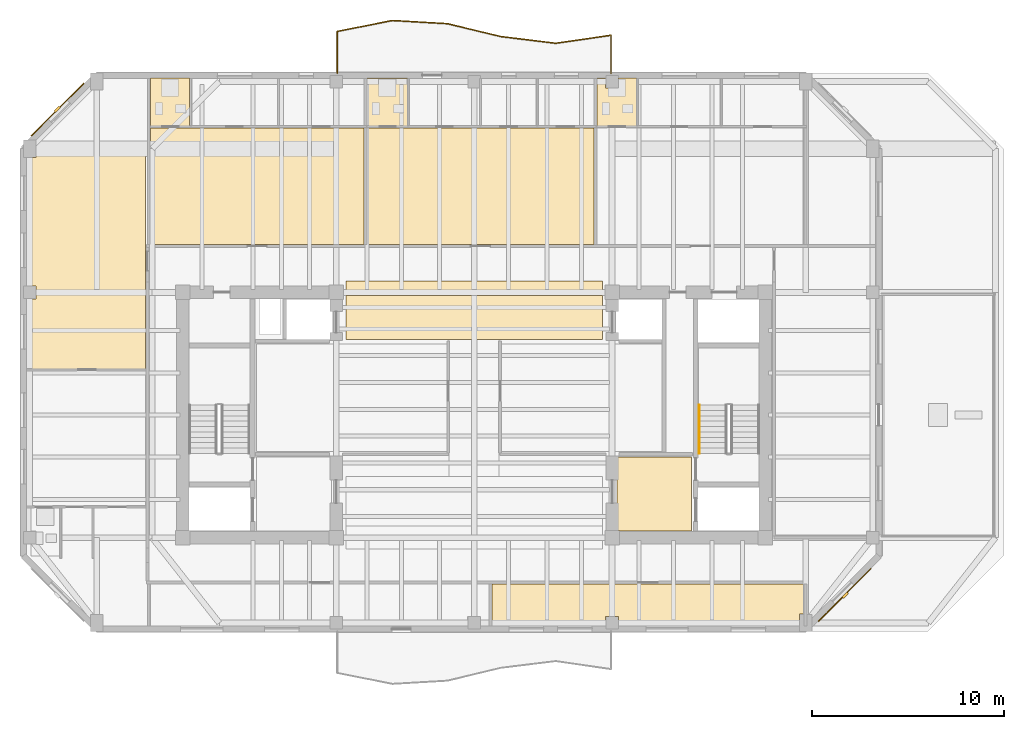
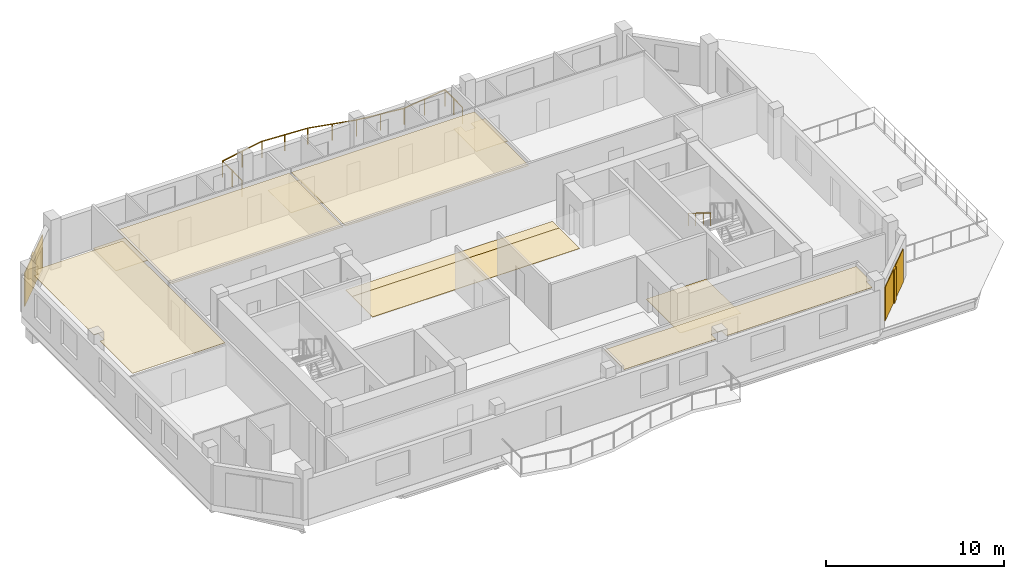
# One storey, part 8 of 10: 12 coverings, 2 railings, 2 shading devices.
"""IFC4 building model written with IfcOpenShell, lengths in metres."""

from ifc_helpers import new_model, si_unit, direction, frame, origin, origin_2d, place, context, subcontext, project, spatial, polyline, rectangle, circle, outline, extrude, material, layer, layer_set, type_object, element, save


model = new_model("IFC4")

# Units and contexts
model_context = context("Model", 3, precision=1e-05, world=origin(), true_north=direction((0.0, 1.0)))
body_context = subcontext(model_context, "Body", "Model", "MODEL_VIEW")
ifc_project = project(units=[si_unit("LENGTHUNIT", "METRE"), si_unit("AREAUNIT", "SQUARE_METRE"), si_unit("VOLUMEUNIT", "CUBIC_METRE"), si_unit("PLANEANGLEUNIT", "RADIAN"), si_unit("MASSUNIT", "GRAM", prefix="KILO")], contexts=[model_context])

# Site, building, storey
site_placement = place(None, origin())
site = spatial("IfcSite", under=ifc_project, at=site_placement, CompositionType="ELEMENT")
building_placement = place(site_placement, origin())
building = spatial("IfcBuilding", under=site, at=building_placement, Name="Kranthara Brick Stack", CompositionType="ELEMENT")
storey_placement = place(building_placement, frame((0.0, 0.0, 268.699951171875)))
storey = spatial("IfcBuildingStorey", under=building, at=storey_placement, Name="L71", CompositionType="ELEMENT", Elevation=268.699951171875)

# Coverings
ifc_material_1 = material(Name="Perforated mineral-fibre acoustic ceiling tile", Category="other")
ifc_layer_1 = layer(ifc_material_1, 0.02490234375)
ifc_layer_set_1 = layer_set([ifc_layer_1], Name="Perforated mineral-fibre acoustic ceiling tile")
covering_type_1 = type_object("IfcCoveringType", Name="COV-CEIL-ACOUSTIC", PredefinedType="CEILING", material=ifc_layer_set_1)
covering_1_placement = place(storey_placement, frame((0.0, 0.0, 2.830078125)))
element("IfcCovering", 1, at=covering_1_placement, inside=storey, type_object=covering_type_1, Name="L71 L71 Sky Club Observation Lounge 2 Acoustic Ceiling", PredefinedType="CEILING", context=body_context, shape_type="SweptSolid", body=[
    extrude(outline(polyline([(28.926025390625, 18.3798828125), (45.219970703125, 18.3798828125), (45.219970703125, 16.81005859375), (44.965087890625, 16.81005859375), (44.965087890625, 16.14990234375), (35.534912109375, 16.14990234375), (35.534912109375, 16.68505859375), (34.864990234375, 16.68505859375), (34.864990234375, 16.14990234375), (28.926025390625, 16.14990234375), (28.926025390625, 18.3798828125)])), origin(), (0.0, 0.0, 1.0), 0.02490234375),
])
covering_2_placement = place(storey_placement, frame((0.0, 0.0, 2.830078125)))
element("IfcCovering", 2, at=covering_2_placement, inside=storey, type_object=covering_type_1, Name="L71 Unit L71A 1-Bed Apartment Living Dining Acoustic Ceiling", PredefinedType="CEILING", context=body_context, shape_type="SweptSolid", body=[
    extrude(outline(polyline([(22.251953125, 36.10009765625), (22.251953125, 42.169921875), (11.10009765625, 42.169921875), (11.10009765625, 36.10009765625), (22.251953125, 36.10009765625)])), origin(), (0.0, 0.0, 1.0), 0.02490234375),
])
covering_3_placement = place(storey_placement, frame((0.0, 0.0, 2.830078125)))
element("IfcCovering", 3, at=covering_3_placement, inside=storey, type_object=covering_type_1, Name="L71 Unit L71B 2-Bed Apartment Living Dining Acoustic Ceiling", PredefinedType="CEILING", context=body_context, shape_type="SweptSolid", body=[
    extrude(outline(polyline([(34.25, 36.10009765625), (34.25, 42.169921875), (22.412109375, 42.169921875), (22.412109375, 36.10009765625), (34.25, 36.10009765625)])), origin(), (0.0, 0.0, 1.0), 0.02490234375),
])
covering_4_placement = place(storey_placement, frame((0.0, 0.0, 2.830078125)))
element("IfcCovering", 4, at=covering_4_placement, inside=storey, type_object=covering_type_1, Name="L71 Unit L71D 1-Bed Apartment Living Dining Acoustic Ceiling", PredefinedType="CEILING", context=body_context, shape_type="SweptSolid", body=[
    extrude(outline(polyline([(10.860107421875, 41.10009765625), (10.860107421875, 29.60595703125), (4.8701171875, 29.60595703125), (4.8701171875, 33.264892578125), (5.135009765625, 33.264892578125), (5.135009765625, 33.93505859375), (4.8701171875, 33.93505859375), (4.8701171875, 40.639892578125), (5.135009765625, 40.639892578125), (5.135009765625, 41.10009765625), (10.860107421875, 41.10009765625)])), origin(), (0.0, 0.0, 1.0), 0.02490234375),
])
ifc_material_2 = material(Name="Warm buff kiln-fired brick slip rainscreen", Category="masonry")
ifc_layer_2 = layer(ifc_material_2, 0.044921875)
ifc_layer_set_2 = layer_set([ifc_layer_2], Name="Warm buff kiln-fired brick slip rainscreen")
covering_type_2 = type_object("IfcCoveringType", Name="COV-CLAD-BRICK", PredefinedType="CLADDING", material=ifc_layer_set_2)
for number, where, z_axis, x_axis, name in (
    (5, (6.2626953125, 43.13720703125, 0.0498046875), (0.0, 0.0, 1.0), (0.707106781187, 0.707106781187, 0.0), "L71 Chamfer Brick Rainscreen Cladding NW"),
    (6, (47.33740234375, 17.812744140625, 0.0498046875), (0.0, 0.0, 1.0), (-0.707106781187, -0.707106781187, 0.0), "L71 Chamfer Brick Rainscreen Cladding SE"),
):
    element("IfcCovering", number, at=place(storey_placement, frame(where, z_axis=z_axis, x_axis=x_axis)), inside=storey, type_object=covering_type_2, Name=name, PredefinedType="CLADDING", context=body_context, shape_type="SweptSolid", body=[
        extrude(rectangle(XDim=3.889892578125, YDim=0.044921875, at=origin_2d()), origin(), (0.0, 0.0, 1.0), 2.300048828125),
    ])
ifc_material_3 = material(Name="Honed terrazzo and porcelain floor finish", Category="stone")
ifc_layer_3 = layer(ifc_material_3, 0.030029296875)
ifc_layer_set_3 = layer_set([ifc_layer_3], Name="Honed terrazzo and porcelain floor finish")
covering_type_3 = type_object("IfcCoveringType", Name="COV-FLOR-STONE", PredefinedType="FLOORING", material=ifc_layer_set_3)
covering_5_placement = place(storey_placement, origin())
element("IfcCovering", 7, at=covering_5_placement, inside=storey, type_object=covering_type_3, Name="L71 Lift Lobby Stone Flooring", PredefinedType="FLOORING", context=body_context, shape_type="SweptSolid", body=[
    extrude(outline(polyline([(35.449951171875, 25.0), (39.35009765625, 25.0), (39.35009765625, 21.14990234375), (35.5849609375, 21.14990234375), (35.5849609375, 21.18505859375), (35.449951171875, 21.18505859375), (35.449951171875, 25.0)])), origin(), (0.0, 0.0, 1.0), 0.030029296875),
])
covering_6_placement = place(storey_placement, origin())
element("IfcCovering", 8, at=covering_6_placement, inside=storey, type_object=covering_type_3, Name="L71 Lift Lobby Stone Flooring", PredefinedType="FLOORING", context=body_context, shape_type="SweptSolid", body=[
    extrude(outline(polyline([(34.699951171875, 31.14990234375), (34.699951171875, 33.449951171875), (21.300048828125, 33.449951171875), (21.300048828125, 31.14990234375), (34.699951171875, 31.14990234375)])), origin(), (0.0, 0.0, 1.0), 0.030029296875),
])
covering_7_placement = place(storey_placement, origin())
element("IfcCovering", 9, at=covering_7_placement, inside=storey, type_object=covering_type_3, Name="L71 Lift Lobby Stone Flooring", PredefinedType="FLOORING", context=body_context, shape_type="SweptSolid", body=[
    extrude(outline(polyline([(34.699951171875, 33.449951171875), (21.300048828125, 33.449951171875), (21.300048828125, 34.199951171875), (34.699951171875, 34.199951171875), (34.699951171875, 33.449951171875)])), origin(), (0.0, 0.0, 1.0), 0.030029296875),
])
covering_8_placement = place(storey_placement, origin())
element("IfcCovering", 10, at=covering_8_placement, inside=storey, type_object=covering_type_3, Name="L71 Wet Room Porcelain Flooring", PredefinedType="FLOORING", context=body_context, shape_type="SweptSolid", body=[
    extrude(outline(polyline([(13.14990234375, 42.25), (13.14990234375, 44.800048828125), (11.10009765625, 44.800048828125), (11.10009765625, 42.25), (13.14990234375, 42.25)])), origin(), (0.0, 0.0, 1.0), 0.030029296875),
])
covering_9_placement = place(storey_placement, origin())
element("IfcCovering", 11, at=covering_9_placement, inside=storey, type_object=covering_type_3, Name="L71 Wet Room Porcelain Flooring", PredefinedType="FLOORING", context=body_context, shape_type="SweptSolid", body=[
    extrude(outline(polyline([(24.511962890625, 42.25), (24.511962890625, 44.800048828125), (22.412109375, 44.800048828125), (22.412109375, 42.25), (24.511962890625, 42.25)])), origin(), (0.0, 0.0, 1.0), 0.030029296875),
])
covering_10_placement = place(storey_placement, origin())
element("IfcCovering", 12, at=covering_10_placement, inside=storey, type_object=covering_type_3, Name="L71 Wet Room Porcelain Flooring", PredefinedType="FLOORING", context=body_context, shape_type="SweptSolid", body=[
    extrude(outline(polyline([(36.4599609375, 44.800048828125), (36.4599609375, 42.25), (34.409912109375, 42.25), (34.409912109375, 44.800048828125), (34.864990234375, 44.800048828125), (34.864990234375, 44.264892578125), (35.534912109375, 44.264892578125), (35.534912109375, 44.800048828125), (36.4599609375, 44.800048828125)])), origin(), (0.0, 0.0, 1.0), 0.030029296875),
])

# Railings
ifc_material_4 = material(Name="Bronze anodised aluminium and laminated glass balustrade", Category="aluminium")
railing_type_1 = type_object("IfcRailingType", Name="RL-BALC-1120", PredefinedType="BALUSTRADE", material=ifc_material_4)
railing_1_placement = place(storey_placement, frame((20.860107421875, 45.0400390625, 0.0)))
element("IfcRailing", 13, at=railing_1_placement, inside=storey, type_object=railing_type_1, Name="L71 North Rippling Balcony Balustrade", PredefinedType="BALUSTRADE", context=body_context, shape_type="SweptSolid", body=[
    extrude(circle(Radius=0.02392578125, at=origin_2d()), frame((0.0, 0.0, 1.09619140625), z_axis=(-0.000111969544, 0.999999993731, 0.0), x_axis=(-0.999999993731, -0.000111969544, 0.0)), (0.0, 0.0, 1.0), 2.180419921875),
    extrude(circle(Radius=0.02392578125, at=origin_2d()), frame((-0.000244140625, 2.180419921875, 1.09619140625), z_axis=(0.980959671349, 0.194211542364, 0.0), x_axis=(-0.194211542364, 0.980959671349, 0.0)), (0.0, 0.0, 1.0), 2.93408203125),
    extrude(circle(Radius=0.02392578125, at=origin_2d()), frame((2.8779296875, 2.750244140625, 1.09619140625), z_axis=(0.998293635427, -0.058393642338, 0.0), x_axis=(0.058393642338, 0.998293635427, 0.0)), (0.0, 0.0, 1.0), 2.87646484375),
    extrude(circle(Radius=0.02392578125, at=origin_2d()), frame((5.74951171875, 2.582275390625, 1.09619140625), z_axis=(0.972045829171, -0.234791196581, 0.0), x_axis=(0.234791196581, 0.972045829171, 0.0)), (0.0, 0.0, 1.0), 2.85107421875),
    extrude(circle(Radius=0.02392578125, at=origin_2d()), frame((8.52099609375, 1.912841796875, 1.09619140625), z_axis=(0.992646370975, -0.121050329161, 0.0), x_axis=(0.121050329161, 0.992646370975, 0.0)), (0.0, 0.0, 1.0), 2.900146484375),
    extrude(circle(Radius=0.02392578125, at=origin_2d()), frame((11.39990234375, 1.561767578125, 1.09619140625), z_axis=(0.989657147137, 0.143452888158, 0.0), x_axis=(-0.143452888158, 0.989657147137, 0.0)), (0.0, 0.0, 1.0), 2.91015625),
    extrude(circle(Radius=0.02392578125, at=origin_2d()), frame((14.280029296875, 1.979248046875, 1.09619140625), z_axis=(-0.00012335019, -0.999999992392, 0.0), x_axis=(0.999999992392, -0.00012335019, 0.0)), (0.0, 0.0, 1.0), 1.979248046875),
    extrude(circle(Radius=0.02099609375, at=origin_2d()), origin(), (0.0, 0.0, 1.0), 1.072021484375),
    extrude(circle(Radius=0.02099609375, at=origin_2d()), frame((0.0, 1.09033203125, 0.0)), (0.0, 0.0, 1.0), 1.072021484375),
    extrude(circle(Radius=0.02099609375, at=origin_2d()), frame((-0.000244140625, 2.180419921875, 0.0)), (0.0, 0.0, 1.0), 1.072021484375),
    extrude(circle(Radius=0.02099609375, at=origin_2d()), frame((1.43896484375, 2.46533203125, 0.0)), (0.0, 0.0, 1.0), 1.072021484375),
    extrude(circle(Radius=0.02099609375, at=origin_2d()), frame((2.8779296875, 2.750244140625, 0.0)), (0.0, 0.0, 1.0), 1.072021484375),
    extrude(circle(Radius=0.02099609375, at=origin_2d()), frame((4.313720703125, 2.666259765625, 0.0)), (0.0, 0.0, 1.0), 1.072021484375),
    extrude(circle(Radius=0.02099609375, at=origin_2d()), frame((5.74951171875, 2.582275390625, 0.0)), (0.0, 0.0, 1.0), 1.072021484375),
    extrude(circle(Radius=0.02099609375, at=origin_2d()), frame((7.13525390625, 2.24755859375, 0.0)), (0.0, 0.0, 1.0), 1.072021484375),
    extrude(circle(Radius=0.02099609375, at=origin_2d()), frame((8.52099609375, 1.912841796875, 0.0)), (0.0, 0.0, 1.0), 1.072021484375),
    extrude(circle(Radius=0.02099609375, at=origin_2d()), frame((9.96044921875, 1.7373046875, 0.0)), (0.0, 0.0, 1.0), 1.072021484375),
    extrude(circle(Radius=0.02099609375, at=origin_2d()), frame((11.39990234375, 1.561767578125, 0.0)), (0.0, 0.0, 1.0), 1.072021484375),
    extrude(circle(Radius=0.02099609375, at=origin_2d()), frame((12.83984375, 1.7705078125, 0.0)), (0.0, 0.0, 1.0), 1.072021484375),
    extrude(circle(Radius=0.02099609375, at=origin_2d()), frame((14.280029296875, 1.979248046875, 0.0)), (0.0, 0.0, 1.0), 1.072021484375),
    extrude(circle(Radius=0.02099609375, at=origin_2d()), frame((14.27978515625, 0.98974609375, 0.0)), (0.0, 0.0, 1.0), 1.072021484375),
    extrude(circle(Radius=0.02099609375, at=origin_2d()), frame((14.27978515625, 0.0, 0.0)), (0.0, 0.0, 1.0), 1.072021484375),
])
ifc_material_5 = material(Name="Brushed stainless steel tubular handrail", Category="steel")
railing_type_2 = type_object("IfcRailingType", Name="RL-STAIR-HAND-900", PredefinedType="HANDRAIL", material=ifc_material_5)
railing_2_placement = place(storey_placement, frame((39.75, 27.719970703125, 1.8701171875)))
element("IfcRailing", 14, at=railing_2_placement, inside=storey, type_object=railing_type_2, Name="L71 ST02 stair handrail 2", PredefinedType="HANDRAIL", context=body_context, shape_type="SweptSolid", body=[
    extrude(circle(Radius=0.02392578125, at=origin_2d()), frame((0.0, 0.0, 0.8759765625), z_axis=(0.0, -0.85478489116, 0.518982456201), x_axis=(1.0, 0.0, 0.0)), (0.0, 0.0, 1.0), 2.9482421875),
    extrude(circle(Radius=0.02099609375, at=origin_2d()), origin(), (0.0, 0.0, 1.0), 0.851806640625),
    extrude(circle(Radius=0.02099609375, at=origin_2d()), frame((0.0, -0.840087890625, 0.510009765625)), (0.0, 0.0, 1.0), 0.851806640625),
    extrude(circle(Radius=0.02099609375, at=origin_2d()), frame((0.0, -1.679931640625, 1.02001953125)), (0.0, 0.0, 1.0), 0.851806640625),
    extrude(circle(Radius=0.02099609375, at=origin_2d()), frame((0.0, -2.52001953125, 1.530029296875)), (0.0, 0.0, 1.0), 0.851806640625),
])

# Shading devices
ifc_material_6 = material(Name="Kiln-fired terracotta aerodynamic wind fin", Category="masonry")
shading_device_type = type_object("IfcShadingDeviceType", Name="SHD-BAFFLE-CORNER", PredefinedType="SHUTTER", material=ifc_material_6)
for number, where, z_axis, x_axis, name in (
    (15, (6.241455078125, 43.158447265625, 0.0498046875), (0.0, 0.0, 1.0), (0.707106781187, 0.707106781187, 0.0), "L71 Chamfer Wind-Baffle Fin NW"),
    (16, (47.3583984375, 17.79150390625, 0.0498046875), (0.0, 0.0, 1.0), (-0.707106781187, -0.707106781187, 0.0), "L71 Chamfer Wind-Baffle Fin SE"),
):
    element("IfcShadingDevice", number, at=place(storey_placement, frame(where, z_axis=z_axis, x_axis=x_axis)), inside=storey, type_object=shading_device_type, Name=name, PredefinedType="SHUTTER", context=body_context, shape_type="SweptSolid", body=[
        extrude(rectangle(XDim=0.35009765625, YDim=0.1201171875, at=origin_2d()), origin(), (0.0, 0.0, 1.0), 2.300048828125),
    ])

save(model, "model.ifc")
